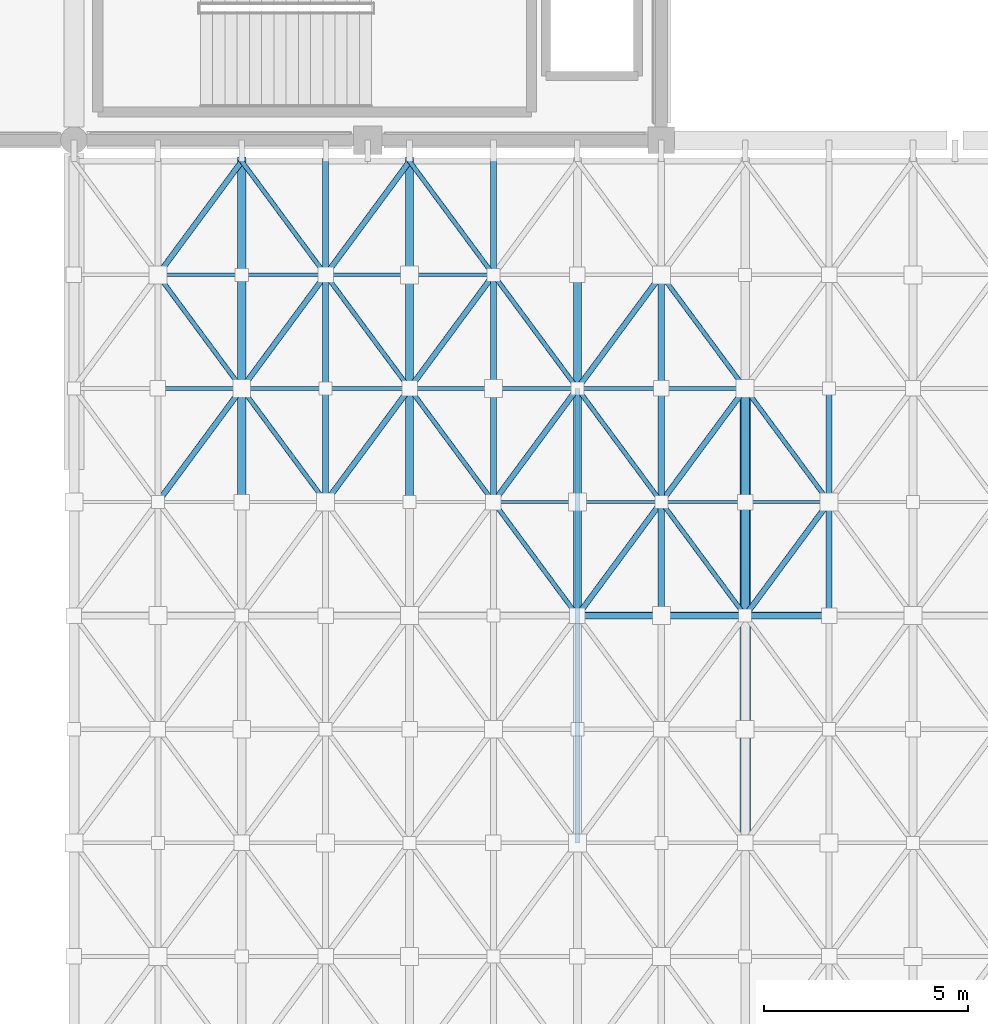
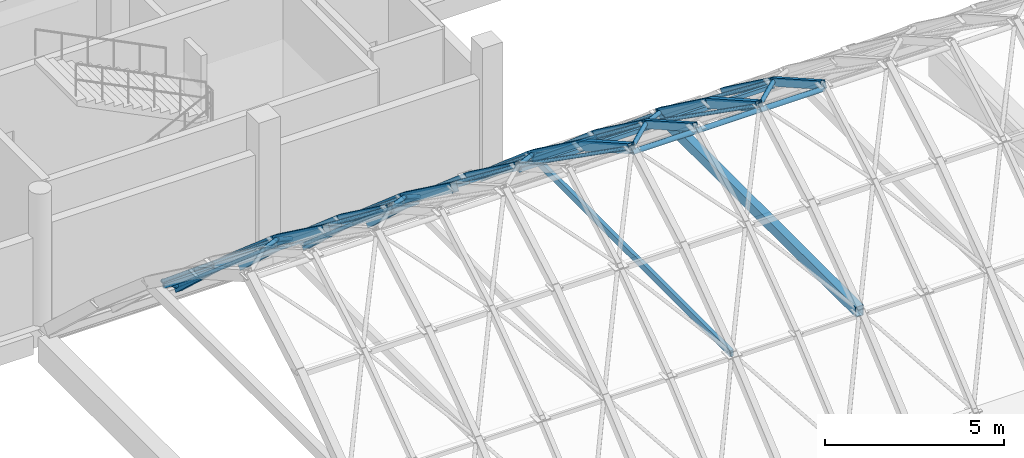
# One storey, part 37 of 87: 65 members.
"""IFC4 building model written with IfcOpenShell, lengths in metres."""

import ifcopenshell
import ifcopenshell.guid

model = None  # the IFC model being written
_history = None  # IfcOwnerHistory: only IFC2X3 demands one
_inside = {}  # id of a spatial element -> (the spatial element, [elements in it])
_under = {}  # id of a project, library or spatial element -> (it, [spatial elements below it])
_declared = {}  # id of a project -> (the project, [libraries it declares])
_typed = {}  # id of a type object -> (the type object, [elements of that type])
_made_of = {}  # id of a material, layer set ... -> (it, [elements and type objects made of it])


def new_model(schema):
    """Start an empty IFC model of exactly this schema.

    Asked for "IFC4X3", IfcOpenShell would pick the latest addendum, in which some entities
    have other attributes; the version numbers below select the first issue.
    IFC2X3 requires an IfcOwnerHistory on every rooted entity: one is made here for all.
    """
    global model, _history
    if schema == "IFC4X3":
        model = ifcopenshell.file(schema_version=(4, 3, 0, 0))
    else:
        model = ifcopenshell.file(schema=schema)
    _inside.clear()
    _under.clear()
    _declared.clear()
    _typed.clear()
    _made_of.clear()
    _history = None
    if model.schema == "IFC2X3":
        org = make("IfcOrganization", Name="unknown")
        user = make(
            "IfcPersonAndOrganization",
            ThePerson=make("IfcPerson", FamilyName="unknown"),
            TheOrganization=org,
        )
        app = make(
            "IfcApplication",
            ApplicationDeveloper=org,
            Version="unknown",
            ApplicationFullName="unknown",
            ApplicationIdentifier="unknown",
        )
        _history = make(
            "IfcOwnerHistory",
            OwningUser=user,
            OwningApplication=app,
            ChangeAction="ADDED",
            CreationDate=0,
        )
    return model


def make(cls, **values):
    """One entity of the class cls with the attributes given. An attribute that is None is left unset."""
    return model.create_entity(
        cls, **{name: value for name, value in values.items() if value is not None}
    )


def rooted(cls, **values):
    """An entity with a GlobalId (a new one), such as an element, a storey or a relation."""
    return make(cls, GlobalId=ifcopenshell.guid.new(), OwnerHistory=_history, **values)


def si_unit(unit_type, name, prefix=None):
    """IfcSIUnit, for example si_unit("LENGTHUNIT", "METRE", prefix="MILLI")."""
    return make("IfcSIUnit", UnitType=unit_type, Prefix=prefix, Name=name)


def assignment(units):
    """IfcUnitAssignment: the units of a project."""
    return None if units is None else make("IfcUnitAssignment", Units=units)


def point(xyz):
    """IfcCartesianPoint."""
    return None if xyz is None else make("IfcCartesianPoint", Coordinates=xyz)


def direction(xyz):
    """IfcDirection."""
    return None if xyz is None else make("IfcDirection", DirectionRatios=xyz)


def frame(location, z_axis=None, x_axis=None):
    """IfcAxis2Placement3D, a coordinate frame: its origin and axes. An axis left out is left unset."""
    return make(
        "IfcAxis2Placement3D",
        Location=point(location),
        Axis=direction(z_axis),
        RefDirection=direction(x_axis),
    )


def frame_2d(location, x_axis=None):
    """IfcAxis2Placement2D, a coordinate frame in the plane: its origin and x axis."""
    return make(
        "IfcAxis2Placement2D", Location=point(location), RefDirection=direction(x_axis)
    )


def origin():
    """The frame at (0, 0, 0) with its axes left unset."""
    return frame((0.0, 0.0, 0.0))


def origin_2d():
    """The frame at (0, 0) in the plane with its x axis left unset."""
    return frame_2d((0.0, 0.0))


def place(relative_to, where):
    """IfcLocalPlacement: puts the frame where relative to a parent placement (None: the world)."""
    return make(
        "IfcLocalPlacement", PlacementRelTo=relative_to, RelativePlacement=where
    )


def context(
    kind, dimensions, precision=None, world=None, true_north=None, identifier=None
):
    """IfcGeometricRepresentationContext, for example the 3D "Model" context."""
    return make(
        "IfcGeometricRepresentationContext",
        ContextIdentifier=identifier,
        ContextType=kind,
        CoordinateSpaceDimension=dimensions,
        Precision=precision,
        WorldCoordinateSystem=world,
        TrueNorth=true_north,
    )


def subcontext(parent, identifier, kind, view, scale=None):
    """IfcGeometricRepresentationSubContext, for example "Body" below "Model"."""
    return make(
        "IfcGeometricRepresentationSubContext",
        ContextIdentifier=identifier,
        ContextType=kind,
        ParentContext=parent,
        TargetScale=scale,
        TargetView=view,
    )


def project(units=None, contexts=None):
    """IfcProject with its units and contexts."""
    return rooted(
        "IfcProject",
        Name="project",
        RepresentationContexts=contexts,
        UnitsInContext=assignment(units),
    )


def spatial(cls, under=None, at=None, **own):
    """A site, building, storey or space (cls), placed at a placement, below another one or the project."""
    s = rooted(cls, ObjectPlacement=at, **own)
    if under is not None:
        _under.setdefault(under.id(), (under, []))[1].append(s)
    return s


def profile(cls, at=None, kind="AREA", **sizes):
    """A parametric profile (cls). Its sizes go by their IFC names, for example OverallWidth=200.0."""
    return make(cls, ProfileType=kind, Position=at, **sizes)


def hollow_rectangle(**sizes):
    """IfcRectangleHollowProfileDef."""
    return profile("IfcRectangleHollowProfileDef", **sizes)


def hollow_circle(**sizes):
    """IfcCircleHollowProfileDef."""
    return profile("IfcCircleHollowProfileDef", **sizes)


def extrude(swept, where, along, depth):
    """IfcExtrudedAreaSolid: the profile swept, set in the frame where, extruded along a direction by depth."""
    return make(
        "IfcExtrudedAreaSolid",
        SweptArea=swept,
        Position=where,
        ExtrudedDirection=direction(along),
        Depth=depth,
    )


def shape(context_of_items, identifier, shape_type, items):
    """IfcShapeRepresentation: the items that make up one representation, for example the "Body"."""
    return make(
        "IfcShapeRepresentation",
        ContextOfItems=context_of_items,
        RepresentationIdentifier=identifier,
        RepresentationType=shape_type,
        Items=items,
    )


def material(Name=None, Category=None):
    """IfcMaterial."""
    return make("IfcMaterial", Name=Name, Category=Category)


def material_profile(
    of_material, cross_section, Name=None, Category=None, Priority=None
):
    """IfcMaterialProfile: a cross section and its material."""
    return make(
        "IfcMaterialProfile",
        Name=Name,
        Material=of_material,
        Profile=cross_section,
        Priority=Priority,
        Category=Category,
    )


def profile_set(profiles, Name=None, composite=None):
    """IfcMaterialProfileSet."""
    return make(
        "IfcMaterialProfileSet",
        Name=Name,
        MaterialProfiles=profiles,
        CompositeProfile=composite,
    )


def made_of(thing, what):
    """Note that an element or type object is made of a material, layer set ...; save() writes the relation."""
    if what is not None:
        _made_of.setdefault(what.id(), (what, []))[1].append(thing)
    return thing


def type_object(cls, material=None, **own):
    """A type object (cls), such as IfcWallType, which elements share."""
    return made_of(rooted(cls, **own), material)


def element(
    cls,
    number,
    at=None,
    inside=None,
    cuts=None,
    type_object=None,
    material=None,
    context=None,
    identifier="Body",
    shape_type=None,
    held_by="IfcProductDefinitionShape",
    body=None,
    shapes=None,
    **own,
):
    """One element of the class cls, such as IfcWall. Its Tag is "e" and its number.

    at: its placement. inside: the storey or other place that contains it. cuts: it is an
    opening in that element (IfcRelVoidsElement). A single representation is given by context,
    identifier, shape_type and body (its items); several are given by shapes. held_by: the class
    of the entity that holds the representations. save() writes the other relations.
    """
    e = rooted(cls, Tag="e%d" % number, ObjectPlacement=at, **own)
    if body is not None:
        shapes = [shape(context, identifier, shape_type, body)]
    if shapes is not None:
        e.Representation = make(held_by, Representations=shapes)
    if inside is not None:
        _inside.setdefault(inside.id(), (inside, []))[1].append(e)
    if cuts is not None:
        rooted(
            "IfcRelVoidsElement", RelatingBuildingElement=cuts, RelatedOpeningElement=e
        )
    if type_object is not None:
        _typed.setdefault(type_object.id(), (type_object, []))[1].append(e)
    return made_of(e, material)


def aggregate(whole, parts):
    """IfcRelAggregates: a whole, such as a stair, and the parts it consists of."""
    return rooted("IfcRelAggregates", RelatingObject=whole, RelatedObjects=parts)


def save(model, path):
    """Write the relations noted so far, then the file.

    IfcRelAggregates (storeys below a building ...), IfcRelContainedInSpatialStructure (elements
    in a storey), IfcRelDefinesByType, IfcRelAssociatesMaterial and IfcRelDeclares: one each for
    every whole, place, type object, material and project.
    """
    for whole, parts in _under.values():
        aggregate(whole, parts)
    for where, things in _inside.values():
        rooted(
            "IfcRelContainedInSpatialStructure",
            RelatedElements=things,
            RelatingStructure=where,
        )
    for kind, things in _typed.values():
        rooted("IfcRelDefinesByType", RelatedObjects=things, RelatingType=kind)
    for what, things in _made_of.values():
        rooted("IfcRelAssociatesMaterial", RelatedObjects=things, RelatingMaterial=what)
    for by, libraries in _declared.values():
        rooted("IfcRelDeclares", RelatingContext=by, RelatedDefinitions=libraries)
    model.write(path)


model = new_model("IFC4")

# Units and contexts
model_context = context("Model", 3, precision=1e-05, world=origin(), true_north=direction((0.0, 1.0)))
body_context = subcontext(model_context, "Body", "Model", "MODEL_VIEW")
ifc_project = project(units=[si_unit("LENGTHUNIT", "METRE"), si_unit("AREAUNIT", "SQUARE_METRE"), si_unit("VOLUMEUNIT", "CUBIC_METRE"), si_unit("PLANEANGLEUNIT", "RADIAN"), si_unit("MASSUNIT", "GRAM", prefix="KILO")], contexts=[model_context])

# Site, building, storey
site_placement = place(None, origin())
site = spatial("IfcSite", under=ifc_project, at=site_placement, CompositionType="ELEMENT")
building_placement = place(site_placement, origin())
building = spatial("IfcBuilding", under=site, at=building_placement, Name="Kalluvel Institute of Natural Sciences", CompositionType="ELEMENT")
storey_placement = place(building_placement, frame((0.0, 0.0, 18.89990234375)))
storey = spatial("IfcBuildingStorey", under=building, at=storey_placement, Name="L04", CompositionType="ELEMENT", Elevation=18.89990234375)

# Members
ifc_material = material(Name="Steel E350 Grade 350", Category="steel")
ifc_material_profile_1 = material_profile(ifc_material, hollow_rectangle(XDim=0.1201171875, YDim=0.219970703125, WallThickness=0.010009765625, at=origin_2d()), Name="RHS 220x120x10")
ifc_profile_set_1 = profile_set([ifc_material_profile_1], Name="Steel E350 Grade 350")
member_type_1 = type_object("IfcMemberType", Name="MB-ARCH-RHS220", PredefinedType="CHORD", material=ifc_profile_set_1)
member_1_placement = place(storey_placement, frame((55.142822265625, 77.169921875, 4.976806640625), z_axis=(0.0, 1.0, 0.0), x_axis=(-1.0, 0.0, 0.0)))
element("IfcMember", 1, at=member_1_placement, inside=storey, type_object=member_type_1, Name="Atrium gridshell Gothic collar tie chord 4", PredefinedType="CHORD", context=body_context, shape_type="SweptSolid", body=[
    extrude(hollow_rectangle(XDim=0.1201171875, YDim=0.219970703125, WallThickness=0.010009765625, at=origin_2d()), origin(), (0.0, 0.0, 1.0), 11.14013671875),
])
ifc_material_profile_2 = material_profile(ifc_material, hollow_rectangle(XDim=0.25, YDim=0.35009765625, WallThickness=0.012451171875, at=origin_2d()), Name="RHS 350x250x12")
ifc_profile_set_2 = profile_set([ifc_material_profile_2], Name="Steel E350 Grade 350")
member_type_2 = type_object("IfcMemberType", Name="MB-ARCH-RHS350", PredefinedType="CHORD", material=ifc_profile_set_2)
member_2_placement = place(storey_placement, frame((59.257080078125, 77.169921875, 4.976806640625), z_axis=(0.0, 1.0, 0.0), x_axis=(-1.0, 0.0, 0.0)))
element("IfcMember", 2, at=member_2_placement, inside=storey, type_object=member_type_2, Name="Atrium gridshell Gothic collar tie chord 5", PredefinedType="CHORD", context=body_context, shape_type="SweptSolid", body=[
    extrude(hollow_rectangle(XDim=0.25, YDim=0.35009765625, WallThickness=0.012451171875, at=origin_2d()), origin(), (0.0, 0.0, 1.0), 11.14013671875),
])
ifc_material_profile_3 = material_profile(ifc_material, hollow_rectangle(XDim=0.14990234375, YDim=0.25, WallThickness=0.010009765625, at=origin_2d()), Name="RHS 250x150x10")
ifc_profile_set_3 = profile_set([ifc_material_profile_3], Name="Steel E350 Grade 350")
member_type_3 = type_object("IfcMemberType", Name="MB-ARCH-SEG250", PredefinedType="USERDEFINED", material=ifc_profile_set_3)
member_3_placement = place(storey_placement, frame((48.971435546875, 85.52490234375, 7.018310546875), z_axis=(0.0, 0.806535340499, -0.591185879843), x_axis=(-1.0, 0.0, 0.0)))
element("IfcMember", 3, at=member_3_placement, inside=storey, type_object=member_type_3, Name="Atrium gridshell pointed arch segment 30", ObjectType="ARCH_SEGMENT", PredefinedType="USERDEFINED", context=body_context, shape_type="SweptSolid", body=[
    extrude(hollow_rectangle(XDim=0.14990234375, YDim=0.25, WallThickness=0.010009765625, at=origin_2d()), origin(), (0.0, 0.0, 1.0), 3.453125),
])
member_4_placement = place(storey_placement, frame((48.971435546875, 88.31005859375, 4.976806640625), z_axis=(0.0, 0.758448754264, -0.651732680748), x_axis=(-1.0, 0.0, 0.0)))
element("IfcMember", 4, at=member_4_placement, inside=storey, type_object=member_type_3, Name="Atrium gridshell pointed arch segment 31", ObjectType="ARCH_SEGMENT", PredefinedType="USERDEFINED", context=body_context, shape_type="SweptSolid", body=[
    extrude(hollow_rectangle(XDim=0.14990234375, YDim=0.25, WallThickness=0.010009765625, at=origin_2d()), origin(), (0.0, 0.0, 1.0), 3.671875),
])
member_5_placement = place(storey_placement, frame((48.971435546875, 91.094970703125, 2.583740234375), z_axis=(0.0, 0.733088696682, -0.680133047864), x_axis=(-1.0, 0.0, 0.0)))
element("IfcMember", 5, at=member_5_placement, inside=storey, type_object=member_type_3, Name="Atrium gridshell pointed arch segment 32", ObjectType="ARCH_SEGMENT", PredefinedType="USERDEFINED", context=body_context, shape_type="SweptSolid", body=[
    extrude(hollow_rectangle(XDim=0.14990234375, YDim=0.25, WallThickness=0.010009765625, at=origin_2d()), origin(), (0.0, 0.0, 1.0), 3.798828125),
])
member_6_placement = place(storey_placement, frame((53.085693359375, 85.52490234375, 7.018310546875), z_axis=(0.0, 0.806535340499, -0.591185879843), x_axis=(-1.0, 0.0, 0.0)))
element("IfcMember", 6, at=member_6_placement, inside=storey, type_object=member_type_3, Name="Atrium gridshell pointed arch segment 46", ObjectType="ARCH_SEGMENT", PredefinedType="USERDEFINED", context=body_context, shape_type="SweptSolid", body=[
    extrude(hollow_rectangle(XDim=0.14990234375, YDim=0.25, WallThickness=0.010009765625, at=origin_2d()), origin(), (0.0, 0.0, 1.0), 3.453125),
])
member_7_placement = place(storey_placement, frame((53.085693359375, 88.31005859375, 4.976806640625), z_axis=(0.0, 0.758448754264, -0.651732680748), x_axis=(-1.0, 0.0, 0.0)))
element("IfcMember", 7, at=member_7_placement, inside=storey, type_object=member_type_3, Name="Atrium gridshell pointed arch segment 47", ObjectType="ARCH_SEGMENT", PredefinedType="USERDEFINED", context=body_context, shape_type="SweptSolid", body=[
    extrude(hollow_rectangle(XDim=0.14990234375, YDim=0.25, WallThickness=0.010009765625, at=origin_2d()), origin(), (0.0, 0.0, 1.0), 3.671875),
])
member_8_placement = place(storey_placement, frame((53.085693359375, 91.094970703125, 2.583740234375), z_axis=(0.0, 0.733088696682, -0.680133047864), x_axis=(-1.0, 0.0, 0.0)))
element("IfcMember", 8, at=member_8_placement, inside=storey, type_object=member_type_3, Name="Atrium gridshell pointed arch segment 48", ObjectType="ARCH_SEGMENT", PredefinedType="USERDEFINED", context=body_context, shape_type="SweptSolid", body=[
    extrude(hollow_rectangle(XDim=0.14990234375, YDim=0.25, WallThickness=0.010009765625, at=origin_2d()), origin(), (0.0, 0.0, 1.0), 3.798828125),
])
member_9_placement = place(storey_placement, frame((57.199951171875, 82.739990234375, 8.60009765625), z_axis=(0.0, 0.869530215722, -0.493879746442), x_axis=(-1.0, 0.0, 0.0)))
element("IfcMember", 9, at=member_9_placement, inside=storey, type_object=member_type_3, Name="Atrium gridshell pointed arch segment 61", ObjectType="ARCH_SEGMENT", PredefinedType="USERDEFINED", context=body_context, shape_type="SweptSolid", body=[
    extrude(hollow_rectangle(XDim=0.14990234375, YDim=0.25, WallThickness=0.010009765625, at=origin_2d()), origin(), (0.0, 0.0, 1.0), 3.202880859375),
])
member_10_placement = place(storey_placement, frame((57.199951171875, 85.52490234375, 7.018310546875), z_axis=(0.0, 0.806535340499, -0.591185879843), x_axis=(-1.0, 0.0, 0.0)))
element("IfcMember", 10, at=member_10_placement, inside=storey, type_object=member_type_3, Name="Atrium gridshell pointed arch segment 62", ObjectType="ARCH_SEGMENT", PredefinedType="USERDEFINED", context=body_context, shape_type="SweptSolid", body=[
    extrude(hollow_rectangle(XDim=0.14990234375, YDim=0.25, WallThickness=0.010009765625, at=origin_2d()), origin(), (0.0, 0.0, 1.0), 3.453125),
])
member_11_placement = place(storey_placement, frame((57.199951171875, 88.31005859375, 4.976806640625), z_axis=(0.0, 0.758448754264, -0.651732680748), x_axis=(-1.0, 0.0, 0.0)))
element("IfcMember", 11, at=member_11_placement, inside=storey, type_object=member_type_3, Name="Atrium gridshell pointed arch segment 63", ObjectType="ARCH_SEGMENT", PredefinedType="USERDEFINED", context=body_context, shape_type="SweptSolid", body=[
    extrude(hollow_rectangle(XDim=0.14990234375, YDim=0.25, WallThickness=0.010009765625, at=origin_2d()), origin(), (0.0, 0.0, 1.0), 3.671875),
])
member_12_placement = place(storey_placement, frame((61.314208984375, 82.739990234375, 8.60009765625), z_axis=(0.0, 0.869530215722, -0.493879746442), x_axis=(-1.0, 0.0, 0.0)))
element("IfcMember", 12, at=member_12_placement, inside=storey, type_object=member_type_3, Name="Atrium gridshell pointed arch segment 77", ObjectType="ARCH_SEGMENT", PredefinedType="USERDEFINED", context=body_context, shape_type="SweptSolid", body=[
    extrude(hollow_rectangle(XDim=0.14990234375, YDim=0.25, WallThickness=0.010009765625, at=origin_2d()), origin(), (0.0, 0.0, 1.0), 3.202880859375),
])
member_13_placement = place(storey_placement, frame((61.314208984375, 85.52490234375, 7.018310546875), z_axis=(0.0, 0.806535340499, -0.591185879843), x_axis=(-1.0, 0.0, 0.0)))
element("IfcMember", 13, at=member_13_placement, inside=storey, type_object=member_type_3, Name="Atrium gridshell pointed arch segment 78", ObjectType="ARCH_SEGMENT", PredefinedType="USERDEFINED", context=body_context, shape_type="SweptSolid", body=[
    extrude(hollow_rectangle(XDim=0.14990234375, YDim=0.25, WallThickness=0.010009765625, at=origin_2d()), origin(), (0.0, 0.0, 1.0), 3.453125),
])
ifc_material_profile_4 = material_profile(ifc_material, hollow_rectangle(XDim=0.199951171875, YDim=0.300048828125, WallThickness=0.011962890625, at=origin_2d()), Name="RHS 300x200x12")
ifc_profile_set_4 = profile_set([ifc_material_profile_4], Name="Steel E350 Grade 350")
member_type_4 = type_object("IfcMemberType", Name="MB-ARCH-SEG300", PredefinedType="USERDEFINED", material=ifc_profile_set_4)
member_14_placement = place(storey_placement, frame((46.914306640625, 85.52490234375, 7.018310546875), z_axis=(0.0, 0.806535340499, -0.591185879843), x_axis=(-1.0, 0.0, 0.0)))
element("IfcMember", 14, at=member_14_placement, inside=storey, type_object=member_type_4, Name="Atrium gridshell pointed arch segment 22", ObjectType="ARCH_SEGMENT", PredefinedType="USERDEFINED", context=body_context, shape_type="SweptSolid", body=[
    extrude(hollow_rectangle(XDim=0.199951171875, YDim=0.300048828125, WallThickness=0.011962890625, at=origin_2d()), origin(), (0.0, 0.0, 1.0), 3.453125),
])
member_15_placement = place(storey_placement, frame((46.914306640625, 88.31005859375, 4.976806640625), z_axis=(0.0, 0.758448754264, -0.651732680748), x_axis=(-1.0, 0.0, 0.0)))
element("IfcMember", 15, at=member_15_placement, inside=storey, type_object=member_type_4, Name="Atrium gridshell pointed arch segment 23", ObjectType="ARCH_SEGMENT", PredefinedType="USERDEFINED", context=body_context, shape_type="SweptSolid", body=[
    extrude(hollow_rectangle(XDim=0.199951171875, YDim=0.300048828125, WallThickness=0.011962890625, at=origin_2d()), origin(), (0.0, 0.0, 1.0), 3.671875),
])
member_16_placement = place(storey_placement, frame((46.914306640625, 91.094970703125, 2.583740234375), z_axis=(0.0, 0.733088696682, -0.680133047864), x_axis=(-1.0, 0.0, 0.0)))
element("IfcMember", 16, at=member_16_placement, inside=storey, type_object=member_type_4, Name="Atrium gridshell pointed arch segment 24", ObjectType="ARCH_SEGMENT", PredefinedType="USERDEFINED", context=body_context, shape_type="SweptSolid", body=[
    extrude(hollow_rectangle(XDim=0.199951171875, YDim=0.300048828125, WallThickness=0.011962890625, at=origin_2d()), origin(), (0.0, 0.0, 1.0), 3.798828125),
])
member_17_placement = place(storey_placement, frame((51.028564453125, 85.52490234375, 7.018310546875), z_axis=(0.0, 0.806535340499, -0.591185879843), x_axis=(-1.0, 0.0, 0.0)))
element("IfcMember", 17, at=member_17_placement, inside=storey, type_object=member_type_4, Name="Atrium gridshell pointed arch segment 38", ObjectType="ARCH_SEGMENT", PredefinedType="USERDEFINED", context=body_context, shape_type="SweptSolid", body=[
    extrude(hollow_rectangle(XDim=0.199951171875, YDim=0.300048828125, WallThickness=0.011962890625, at=origin_2d()), origin(), (0.0, 0.0, 1.0), 3.453125),
])
member_18_placement = place(storey_placement, frame((51.028564453125, 88.31005859375, 4.976806640625), z_axis=(0.0, 0.758448754264, -0.651732680748), x_axis=(-1.0, 0.0, 0.0)))
element("IfcMember", 18, at=member_18_placement, inside=storey, type_object=member_type_4, Name="Atrium gridshell pointed arch segment 39", ObjectType="ARCH_SEGMENT", PredefinedType="USERDEFINED", context=body_context, shape_type="SweptSolid", body=[
    extrude(hollow_rectangle(XDim=0.199951171875, YDim=0.300048828125, WallThickness=0.011962890625, at=origin_2d()), origin(), (0.0, 0.0, 1.0), 3.671875),
])
member_19_placement = place(storey_placement, frame((51.028564453125, 91.094970703125, 2.583740234375), z_axis=(0.0, 0.733088696682, -0.680133047864), x_axis=(-1.0, 0.0, 0.0)))
element("IfcMember", 19, at=member_19_placement, inside=storey, type_object=member_type_4, Name="Atrium gridshell pointed arch segment 40", ObjectType="ARCH_SEGMENT", PredefinedType="USERDEFINED", context=body_context, shape_type="SweptSolid", body=[
    extrude(hollow_rectangle(XDim=0.199951171875, YDim=0.300048828125, WallThickness=0.011962890625, at=origin_2d()), origin(), (0.0, 0.0, 1.0), 3.798828125),
])
member_20_placement = place(storey_placement, frame((55.142822265625, 82.739990234375, 8.60009765625), z_axis=(0.0, 0.869530215722, -0.493879746442), x_axis=(-1.0, 0.0, 0.0)))
element("IfcMember", 20, at=member_20_placement, inside=storey, type_object=member_type_4, Name="Atrium gridshell pointed arch segment 53", ObjectType="ARCH_SEGMENT", PredefinedType="USERDEFINED", context=body_context, shape_type="SweptSolid", body=[
    extrude(hollow_rectangle(XDim=0.199951171875, YDim=0.300048828125, WallThickness=0.011962890625, at=origin_2d()), origin(), (0.0, 0.0, 1.0), 3.202880859375),
])
member_21_placement = place(storey_placement, frame((55.142822265625, 85.52490234375, 7.018310546875), z_axis=(0.0, 0.806535340499, -0.591185879843), x_axis=(-1.0, 0.0, 0.0)))
element("IfcMember", 21, at=member_21_placement, inside=storey, type_object=member_type_4, Name="Atrium gridshell pointed arch segment 54", ObjectType="ARCH_SEGMENT", PredefinedType="USERDEFINED", context=body_context, shape_type="SweptSolid", body=[
    extrude(hollow_rectangle(XDim=0.199951171875, YDim=0.300048828125, WallThickness=0.011962890625, at=origin_2d()), origin(), (0.0, 0.0, 1.0), 3.453125),
])
member_22_placement = place(storey_placement, frame((55.142822265625, 88.31005859375, 4.976806640625), z_axis=(0.0, 0.758448754264, -0.651732680748), x_axis=(-1.0, 0.0, 0.0)))
element("IfcMember", 22, at=member_22_placement, inside=storey, type_object=member_type_4, Name="Atrium gridshell pointed arch segment 55", ObjectType="ARCH_SEGMENT", PredefinedType="USERDEFINED", context=body_context, shape_type="SweptSolid", body=[
    extrude(hollow_rectangle(XDim=0.199951171875, YDim=0.300048828125, WallThickness=0.011962890625, at=origin_2d()), origin(), (0.0, 0.0, 1.0), 3.671875),
])
member_23_placement = place(storey_placement, frame((59.257080078125, 82.739990234375, 8.60009765625), z_axis=(0.0, 0.869530215722, -0.493879746442), x_axis=(-1.0, 0.0, 0.0)))
element("IfcMember", 23, at=member_23_placement, inside=storey, type_object=member_type_4, Name="Atrium gridshell pointed arch segment 69", ObjectType="ARCH_SEGMENT", PredefinedType="USERDEFINED", context=body_context, shape_type="SweptSolid", body=[
    extrude(hollow_rectangle(XDim=0.199951171875, YDim=0.300048828125, WallThickness=0.011962890625, at=origin_2d()), origin(), (0.0, 0.0, 1.0), 3.202880859375),
])
member_24_placement = place(storey_placement, frame((59.257080078125, 85.52490234375, 7.018310546875), z_axis=(0.0, 0.806535340499, -0.591185879843), x_axis=(-1.0, 0.0, 0.0)))
element("IfcMember", 24, at=member_24_placement, inside=storey, type_object=member_type_4, Name="Atrium gridshell pointed arch segment 70", ObjectType="ARCH_SEGMENT", PredefinedType="USERDEFINED", context=body_context, shape_type="SweptSolid", body=[
    extrude(hollow_rectangle(XDim=0.199951171875, YDim=0.300048828125, WallThickness=0.011962890625, at=origin_2d()), origin(), (0.0, 0.0, 1.0), 3.453125),
])
ifc_material_profile_5 = material_profile(ifc_material, hollow_circle(Radius=0.05712890625, WallThickness=0.006103515625, at=origin_2d()), Name="CHS 114.3x6.0")
ifc_profile_set_5 = profile_set([ifc_material_profile_5], Name="Steel E350 Grade 350")
member_type_5 = type_object("IfcMemberType", Name="MB-BR-CHS114", PredefinedType="BRACE", material=ifc_profile_set_5)
member_25_placement = place(storey_placement, frame((46.914306640625, 88.31005859375, 4.996826171875), z_axis=(-0.488764589812, 0.661682610489, -0.568581831158), x_axis=(-0.804353425168, -0.594151131802, 0.0)))
element("IfcMember", 25, at=member_25_placement, inside=storey, type_object=member_type_5, Name="Atrium gridshell diagonal brace 15", PredefinedType="BRACE", context=body_context, shape_type="SweptSolid", body=[
    extrude(hollow_circle(Radius=0.05712890625, WallThickness=0.006103515625, at=origin_2d()), origin(), (0.0, 0.0, 1.0), 4.208740234375),
])
member_26_placement = place(storey_placement, frame((48.971435546875, 85.52490234375, 7.038330078125), z_axis=(-0.51178357928, 0.692906132498, -0.507896307849), x_axis=(-0.804378315597, -0.594117434013, 0.0)))
element("IfcMember", 26, at=member_26_placement, inside=storey, type_object=member_type_5, Name="Atrium gridshell diagonal brace 22", PredefinedType="BRACE", context=body_context, shape_type="SweptSolid", body=[
    extrude(hollow_circle(Radius=0.05712890625, WallThickness=0.006103515625, at=origin_2d()), origin(), (0.0, 0.0, 1.0), 4.01953125),
])
member_27_placement = place(storey_placement, frame((48.971435546875, 91.094970703125, 2.603759765625), z_axis=(-0.476176678593, 0.644641273761, -0.598074743597), x_axis=(-0.804353425168, -0.594151131802, 0.0)))
element("IfcMember", 27, at=member_27_placement, inside=storey, type_object=member_type_5, Name="Atrium gridshell diagonal brace 24", PredefinedType="BRACE", context=body_context, shape_type="SweptSolid", body=[
    extrude(hollow_circle(Radius=0.05712890625, WallThickness=0.006103515625, at=origin_2d()), origin(), (0.0, 0.0, 1.0), 4.320068359375),
])
member_28_placement = place(storey_placement, frame((51.028564453125, 88.31005859375, 4.996826171875), z_axis=(-0.488764589812, 0.661682610489, -0.568581831158), x_axis=(-0.804353425168, -0.594151131802, 0.0)))
element("IfcMember", 28, at=member_28_placement, inside=storey, type_object=member_type_5, Name="Atrium gridshell diagonal brace 31", PredefinedType="BRACE", context=body_context, shape_type="SweptSolid", body=[
    extrude(hollow_circle(Radius=0.05712890625, WallThickness=0.006103515625, at=origin_2d()), origin(), (0.0, 0.0, 1.0), 4.208740234375),
])
member_29_placement = place(storey_placement, frame((53.085693359375, 85.52490234375, 7.038330078125), z_axis=(-0.51178357928, 0.692906132498, -0.507896307849), x_axis=(-0.804378315597, -0.594117434013, 0.0)))
element("IfcMember", 29, at=member_29_placement, inside=storey, type_object=member_type_5, Name="Atrium gridshell diagonal brace 38", PredefinedType="BRACE", context=body_context, shape_type="SweptSolid", body=[
    extrude(hollow_circle(Radius=0.05712890625, WallThickness=0.006103515625, at=origin_2d()), origin(), (0.0, 0.0, 1.0), 4.01953125),
])
member_30_placement = place(storey_placement, frame((53.085693359375, 91.094970703125, 2.603759765625), z_axis=(-0.476176678593, 0.644641273761, -0.598074743597), x_axis=(-0.804353425168, -0.594151131802, 0.0)))
element("IfcMember", 30, at=member_30_placement, inside=storey, type_object=member_type_5, Name="Atrium gridshell diagonal brace 40", PredefinedType="BRACE", context=body_context, shape_type="SweptSolid", body=[
    extrude(hollow_circle(Radius=0.05712890625, WallThickness=0.006103515625, at=origin_2d()), origin(), (0.0, 0.0, 1.0), 4.320068359375),
])
member_31_placement = place(storey_placement, frame((55.142822265625, 82.739990234375, 8.6201171875), z_axis=(-0.540423006608, 0.731617046805, -0.415547194376), x_axis=(-0.804353425168, -0.594151131802, 0.0)))
element("IfcMember", 31, at=member_31_placement, inside=storey, type_object=member_type_5, Name="Atrium gridshell diagonal brace 45", PredefinedType="BRACE", context=body_context, shape_type="SweptSolid", body=[
    extrude(hollow_circle(Radius=0.05712890625, WallThickness=0.006103515625, at=origin_2d()), origin(), (0.0, 0.0, 1.0), 3.806396484375),
])
member_32_placement = place(storey_placement, frame((55.142822265625, 88.31005859375, 4.996826171875), z_axis=(-0.488764589812, 0.661682610489, -0.568581831158), x_axis=(-0.804353425168, -0.594151131802, 0.0)))
element("IfcMember", 32, at=member_32_placement, inside=storey, type_object=member_type_5, Name="Atrium gridshell diagonal brace 47", PredefinedType="BRACE", context=body_context, shape_type="SweptSolid", body=[
    extrude(hollow_circle(Radius=0.05712890625, WallThickness=0.006103515625, at=origin_2d()), origin(), (0.0, 0.0, 1.0), 4.208740234375),
])
member_33_placement = place(storey_placement, frame((57.199951171875, 85.52490234375, 7.038330078125), z_axis=(-0.51178357928, 0.692906132498, -0.507896307849), x_axis=(-0.804378315597, -0.594117434013, 0.0)))
element("IfcMember", 33, at=member_33_placement, inside=storey, type_object=member_type_5, Name="Atrium gridshell diagonal brace 54", PredefinedType="BRACE", context=body_context, shape_type="SweptSolid", body=[
    extrude(hollow_circle(Radius=0.05712890625, WallThickness=0.006103515625, at=origin_2d()), origin(), (0.0, 0.0, 1.0), 4.01953125),
])
member_34_placement = place(storey_placement, frame((59.257080078125, 82.739990234375, 8.6201171875), z_axis=(-0.540423006608, 0.731617046805, -0.415547194376), x_axis=(-0.804353425168, -0.594151131802, 0.0)))
element("IfcMember", 34, at=member_34_placement, inside=storey, type_object=member_type_5, Name="Atrium gridshell diagonal brace 61", PredefinedType="BRACE", context=body_context, shape_type="SweptSolid", body=[
    extrude(hollow_circle(Radius=0.05712890625, WallThickness=0.006103515625, at=origin_2d()), origin(), (0.0, 0.0, 1.0), 3.806396484375),
])
member_35_placement = place(storey_placement, frame((59.257080078125, 88.31005859375, 4.996826171875), z_axis=(-0.488764589812, 0.661682610489, -0.568581831158), x_axis=(-0.804353425168, -0.594151131802, 0.0)))
element("IfcMember", 35, at=member_35_placement, inside=storey, type_object=member_type_5, Name="Atrium gridshell diagonal brace 63", PredefinedType="BRACE", context=body_context, shape_type="SweptSolid", body=[
    extrude(hollow_circle(Radius=0.05712890625, WallThickness=0.006103515625, at=origin_2d()), origin(), (0.0, 0.0, 1.0), 4.208740234375),
])
member_36_placement = place(storey_placement, frame((61.314208984375, 85.52490234375, 7.038330078125), z_axis=(-0.51178357928, 0.692906132498, -0.507896307849), x_axis=(-0.804378315597, -0.594117434013, 0.0)))
element("IfcMember", 36, at=member_36_placement, inside=storey, type_object=member_type_5, Name="Atrium gridshell diagonal brace 70", PredefinedType="BRACE", context=body_context, shape_type="SweptSolid", body=[
    extrude(hollow_circle(Radius=0.05712890625, WallThickness=0.006103515625, at=origin_2d()), origin(), (0.0, 0.0, 1.0), 4.01953125),
])
ifc_material_profile_6 = material_profile(ifc_material, hollow_circle(Radius=0.06982421875, WallThickness=0.008056640625, at=origin_2d()), Name="CHS 139.7x8.0")
ifc_profile_set_6 = profile_set([ifc_material_profile_6], Name="Steel E350 Grade 350")
member_type_6 = type_object("IfcMemberType", Name="MB-BR-CHS139", PredefinedType="BRACE", material=ifc_profile_set_6)
member_37_placement = place(storey_placement, frame((44.857177734375, 85.52490234375, 7.038330078125), z_axis=(0.51178357928, 0.692906132498, -0.507896307849), x_axis=(-0.804378315597, 0.594117434013, 0.0)))
element("IfcMember", 37, at=member_37_placement, inside=storey, type_object=member_type_6, Name="Atrium gridshell diagonal brace 14", PredefinedType="BRACE", context=body_context, shape_type="SweptSolid", body=[
    extrude(hollow_circle(Radius=0.06982421875, WallThickness=0.008056640625, at=origin_2d()), origin(), (0.0, 0.0, 1.0), 4.01953125),
])
member_38_placement = place(storey_placement, frame((44.857177734375, 91.094970703125, 2.603759765625), z_axis=(0.476176678593, 0.644641273761, -0.598074743597), x_axis=(-0.804353425168, 0.594151131802, 0.0)))
element("IfcMember", 38, at=member_38_placement, inside=storey, type_object=member_type_6, Name="Atrium gridshell diagonal brace 16", PredefinedType="BRACE", context=body_context, shape_type="SweptSolid", body=[
    extrude(hollow_circle(Radius=0.06982421875, WallThickness=0.008056640625, at=origin_2d()), origin(), (0.0, 0.0, 1.0), 4.320068359375),
])
member_39_placement = place(storey_placement, frame((46.914306640625, 88.31005859375, 4.996826171875), z_axis=(0.488764589812, 0.661682610489, -0.568581831158), x_axis=(-0.804353425168, 0.594151131802, 0.0)))
element("IfcMember", 39, at=member_39_placement, inside=storey, type_object=member_type_6, Name="Atrium gridshell diagonal brace 23", PredefinedType="BRACE", context=body_context, shape_type="SweptSolid", body=[
    extrude(hollow_circle(Radius=0.06982421875, WallThickness=0.008056640625, at=origin_2d()), origin(), (0.0, 0.0, 1.0), 4.208740234375),
])
member_40_placement = place(storey_placement, frame((48.971435546875, 85.52490234375, 7.038330078125), z_axis=(0.51178357928, 0.692906132498, -0.507896307849), x_axis=(-0.804378315597, 0.594117434013, 0.0)))
element("IfcMember", 40, at=member_40_placement, inside=storey, type_object=member_type_6, Name="Atrium gridshell diagonal brace 30", PredefinedType="BRACE", context=body_context, shape_type="SweptSolid", body=[
    extrude(hollow_circle(Radius=0.06982421875, WallThickness=0.008056640625, at=origin_2d()), origin(), (0.0, 0.0, 1.0), 4.01953125),
])
member_41_placement = place(storey_placement, frame((48.971435546875, 91.094970703125, 2.603759765625), z_axis=(0.476176678593, 0.644641273761, -0.598074743597), x_axis=(-0.804353425168, 0.594151131802, 0.0)))
element("IfcMember", 41, at=member_41_placement, inside=storey, type_object=member_type_6, Name="Atrium gridshell diagonal brace 32", PredefinedType="BRACE", context=body_context, shape_type="SweptSolid", body=[
    extrude(hollow_circle(Radius=0.06982421875, WallThickness=0.008056640625, at=origin_2d()), origin(), (0.0, 0.0, 1.0), 4.320068359375),
])
member_42_placement = place(storey_placement, frame((51.028564453125, 88.31005859375, 4.996826171875), z_axis=(0.488764589812, 0.661682610489, -0.568581831158), x_axis=(-0.804353425168, 0.594151131802, 0.0)))
element("IfcMember", 42, at=member_42_placement, inside=storey, type_object=member_type_6, Name="Atrium gridshell diagonal brace 39", PredefinedType="BRACE", context=body_context, shape_type="SweptSolid", body=[
    extrude(hollow_circle(Radius=0.06982421875, WallThickness=0.008056640625, at=origin_2d()), origin(), (0.0, 0.0, 1.0), 4.208740234375),
])
member_43_placement = place(storey_placement, frame((53.085693359375, 85.52490234375, 7.038330078125), z_axis=(0.51178357928, 0.692906132498, -0.507896307849), x_axis=(-0.804378315597, 0.594117434013, 0.0)))
element("IfcMember", 43, at=member_43_placement, inside=storey, type_object=member_type_6, Name="Atrium gridshell diagonal brace 46", PredefinedType="BRACE", context=body_context, shape_type="SweptSolid", body=[
    extrude(hollow_circle(Radius=0.06982421875, WallThickness=0.008056640625, at=origin_2d()), origin(), (0.0, 0.0, 1.0), 4.01953125),
])
member_44_placement = place(storey_placement, frame((55.142822265625, 82.739990234375, 8.6201171875), z_axis=(0.540423006608, 0.731617046805, -0.415547194376), x_axis=(-0.804353425168, 0.594151131802, 0.0)))
element("IfcMember", 44, at=member_44_placement, inside=storey, type_object=member_type_6, Name="Atrium gridshell diagonal brace 53", PredefinedType="BRACE", context=body_context, shape_type="SweptSolid", body=[
    extrude(hollow_circle(Radius=0.06982421875, WallThickness=0.008056640625, at=origin_2d()), origin(), (0.0, 0.0, 1.0), 3.806396484375),
])
member_45_placement = place(storey_placement, frame((55.142822265625, 88.31005859375, 4.996826171875), z_axis=(0.488764589812, 0.661682610489, -0.568581831158), x_axis=(-0.804353425168, 0.594151131802, 0.0)))
element("IfcMember", 45, at=member_45_placement, inside=storey, type_object=member_type_6, Name="Atrium gridshell diagonal brace 55", PredefinedType="BRACE", context=body_context, shape_type="SweptSolid", body=[
    extrude(hollow_circle(Radius=0.06982421875, WallThickness=0.008056640625, at=origin_2d()), origin(), (0.0, 0.0, 1.0), 4.208740234375),
])
member_46_placement = place(storey_placement, frame((57.199951171875, 85.52490234375, 7.038330078125), z_axis=(0.51178357928, 0.692906132498, -0.507896307849), x_axis=(-0.804378315597, 0.594117434013, 0.0)))
element("IfcMember", 46, at=member_46_placement, inside=storey, type_object=member_type_6, Name="Atrium gridshell diagonal brace 62", PredefinedType="BRACE", context=body_context, shape_type="SweptSolid", body=[
    extrude(hollow_circle(Radius=0.06982421875, WallThickness=0.008056640625, at=origin_2d()), origin(), (0.0, 0.0, 1.0), 4.01953125),
])
member_47_placement = place(storey_placement, frame((59.257080078125, 82.739990234375, 8.6201171875), z_axis=(0.540423006608, 0.731617046805, -0.415547194376), x_axis=(-0.804353425168, 0.594151131802, 0.0)))
element("IfcMember", 47, at=member_47_placement, inside=storey, type_object=member_type_6, Name="Atrium gridshell diagonal brace 69", PredefinedType="BRACE", context=body_context, shape_type="SweptSolid", body=[
    extrude(hollow_circle(Radius=0.06982421875, WallThickness=0.008056640625, at=origin_2d()), origin(), (0.0, 0.0, 1.0), 3.806396484375),
])
ifc_material_profile_7 = material_profile(ifc_material, hollow_circle(Radius=0.084228515625, WallThickness=0.010009765625, at=origin_2d()), Name="CHS 168.3x10.0")
ifc_profile_set_7 = profile_set([ifc_material_profile_7], Name="Steel E350 Grade 350")
member_type_7 = type_object("IfcMemberType", Name="MB-PURL-CHS168", PredefinedType="PURLIN", material=ifc_profile_set_7)
for number, where, z_axis, x_axis, name in (
    (48, (55.142822265625, 82.739990234375, 8.460205078125), (1.0, 0.0, 0.0), (0.0, 1.0, 0.0), "Atrium gridshell longitudinal purlin 46"),
    (49, (57.199951171875, 82.739990234375, 8.460205078125), (1.0, 0.0, 0.0), (0.0, 1.0, 0.0), "Atrium gridshell longitudinal purlin 53"),
    (50, (59.257080078125, 82.739990234375, 8.460205078125), (1.0, 0.0, 0.0), (0.0, 1.0, 0.0), "Atrium gridshell longitudinal purlin 60"),
):
    element("IfcMember", number, at=place(storey_placement, frame(where, z_axis=z_axis, x_axis=x_axis)), inside=storey, type_object=member_type_7, Name=name, PredefinedType="PURLIN", context=body_context, shape_type="SweptSolid", body=[
        extrude(hollow_circle(Radius=0.084228515625, WallThickness=0.010009765625, at=origin_2d()), origin(), (0.0, 0.0, 1.0), 2.05712890625),
    ])
ifc_material_profile_8 = material_profile(ifc_material, hollow_rectangle(XDim=0.080078125, YDim=0.139892578125, WallThickness=0.006103515625, at=origin_2d()), Name="RHS 140x80x6")
ifc_profile_set_8 = profile_set([ifc_material_profile_8], Name="Steel E350 Grade 350")
member_type_8 = type_object("IfcMemberType", Name="MB-PURL-RHS140", PredefinedType="PURLIN", material=ifc_profile_set_8)
for number, where, z_axis, x_axis, name in (
    (51, (53.085693359375, 85.52490234375, 6.87841796875), (1.0, 0.0, 0.0), (0.0, 1.0, 0.0), "Atrium gridshell longitudinal purlin 40"),
    (52, (55.142822265625, 85.52490234375, 6.87841796875), (1.0, 0.0, 0.0), (0.0, 1.0, 0.0), "Atrium gridshell longitudinal purlin 47"),
    (53, (57.199951171875, 85.52490234375, 6.87841796875), (1.0, 0.0, 0.0), (0.0, 1.0, 0.0), "Atrium gridshell longitudinal purlin 54"),
    (54, (59.257080078125, 85.52490234375, 6.87841796875), (1.0, 0.0, 0.0), (0.0, 1.0, 0.0), "Atrium gridshell longitudinal purlin 61"),
):
    element("IfcMember", number, at=place(storey_placement, frame(where, z_axis=z_axis, x_axis=x_axis)), inside=storey, type_object=member_type_8, Name=name, PredefinedType="PURLIN", context=body_context, shape_type="SweptSolid", body=[
        extrude(hollow_rectangle(XDim=0.080078125, YDim=0.139892578125, WallThickness=0.006103515625, at=origin_2d()), origin(), (0.0, 0.0, 1.0), 2.05712890625),
    ])
ifc_material_profile_9 = material_profile(ifc_material, hollow_rectangle(XDim=0.090087890625, YDim=0.159912109375, WallThickness=0.008056640625, at=origin_2d()), Name="RHS 160x90x8")
ifc_profile_set_9 = profile_set([ifc_material_profile_9], Name="Steel E350 Grade 350")
member_type_9 = type_object("IfcMemberType", Name="MB-PURL-RHS160", PredefinedType="PURLIN", material=ifc_profile_set_9)
for number, where, z_axis, x_axis, name in (
    (55, (44.857177734375, 91.094970703125, 2.443603515625), (1.0, 0.0, 0.0), (0.0, 1.0, 0.0), "Atrium gridshell longitudinal purlin 14"),
    (56, (46.914306640625, 91.094970703125, 2.443603515625), (1.0, 0.0, 0.0), (0.0, 1.0, 0.0), "Atrium gridshell longitudinal purlin 21"),
    (57, (48.971435546875, 91.094970703125, 2.443603515625), (1.0, 0.0, 0.0), (0.0, 1.0, 0.0), "Atrium gridshell longitudinal purlin 28"),
    (58, (51.028564453125, 91.094970703125, 2.443603515625), (1.0, 0.0, 0.0), (0.0, 1.0, 0.0), "Atrium gridshell longitudinal purlin 35"),
):
    element("IfcMember", number, at=place(storey_placement, frame(where, z_axis=z_axis, x_axis=x_axis)), inside=storey, type_object=member_type_9, Name=name, PredefinedType="PURLIN", context=body_context, shape_type="SweptSolid", body=[
        extrude(hollow_rectangle(XDim=0.090087890625, YDim=0.159912109375, WallThickness=0.008056640625, at=origin_2d()), origin(), (0.0, 0.0, 1.0), 2.05712890625),
    ])
ifc_material_profile_10 = material_profile(ifc_material, hollow_rectangle(XDim=0.10009765625, YDim=0.179931640625, WallThickness=0.008056640625, at=origin_2d()), Name="RHS 180x100x8")
ifc_profile_set_10 = profile_set([ifc_material_profile_10], Name="Steel E350 Grade 350")
member_type_10 = type_object("IfcMemberType", Name="MB-PURL-RHS180", PredefinedType="PURLIN", material=ifc_profile_set_10)
for number, where, z_axis, x_axis, name in (
    (59, (44.857177734375, 88.31005859375, 4.8369140625), (1.0, 0.0, 0.0), (0.0, 1.0, 0.0), "Atrium gridshell longitudinal purlin 13"),
    (60, (46.914306640625, 88.31005859375, 4.8369140625), (1.0, 0.0, 0.0), (0.0, 1.0, 0.0), "Atrium gridshell longitudinal purlin 20"),
    (61, (48.971435546875, 88.31005859375, 4.8369140625), (1.0, 0.0, 0.0), (0.0, 1.0, 0.0), "Atrium gridshell longitudinal purlin 27"),
    (62, (51.028564453125, 88.31005859375, 4.8369140625), (1.0, 0.0, 0.0), (0.0, 1.0, 0.0), "Atrium gridshell longitudinal purlin 34"),
    (63, (53.085693359375, 88.31005859375, 4.8369140625), (1.0, 0.0, 0.0), (0.0, 1.0, 0.0), "Atrium gridshell longitudinal purlin 41"),
    (64, (55.142822265625, 88.31005859375, 4.8369140625), (1.0, 0.0, 0.0), (0.0, 1.0, 0.0), "Atrium gridshell longitudinal purlin 48"),
    (65, (57.199951171875, 88.31005859375, 4.8369140625), (1.0, 0.0, 0.0), (0.0, 1.0, 0.0), "Atrium gridshell longitudinal purlin 55"),
):
    element("IfcMember", number, at=place(storey_placement, frame(where, z_axis=z_axis, x_axis=x_axis)), inside=storey, type_object=member_type_10, Name=name, PredefinedType="PURLIN", context=body_context, shape_type="SweptSolid", body=[
        extrude(hollow_rectangle(XDim=0.10009765625, YDim=0.179931640625, WallThickness=0.008056640625, at=origin_2d()), origin(), (0.0, 0.0, 1.0), 2.05712890625),
    ])

save(model, "model.ifc")
